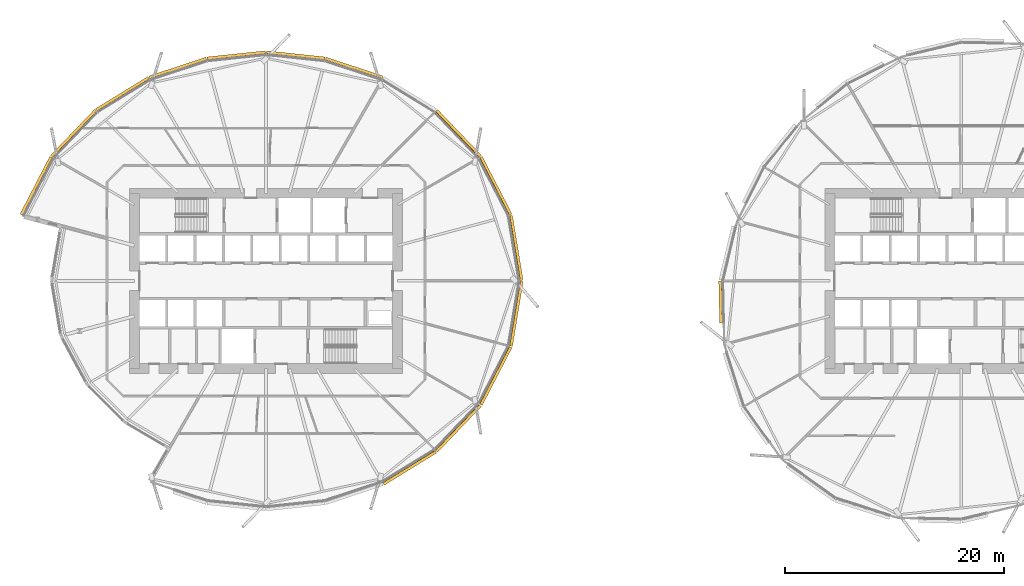
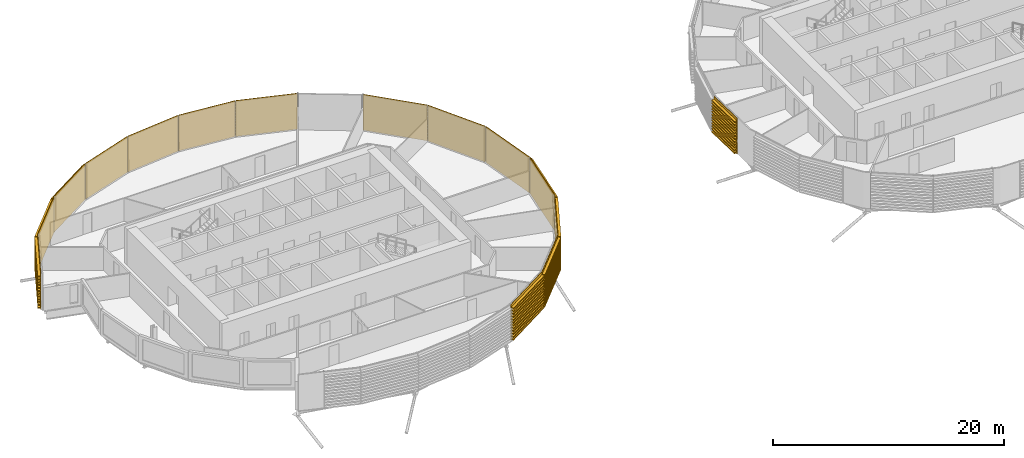
# One storey, part 34 of 37: 15 coverings.
"""IFC4 building model written with IfcOpenShell, lengths in metres."""

import ifcopenshell
import ifcopenshell.guid

model = None  # the IFC model being written
_history = None  # IfcOwnerHistory: only IFC2X3 demands one
_inside = {}  # id of a spatial element -> (the spatial element, [elements in it])
_under = {}  # id of a project, library or spatial element -> (it, [spatial elements below it])
_declared = {}  # id of a project -> (the project, [libraries it declares])
_typed = {}  # id of a type object -> (the type object, [elements of that type])
_made_of = {}  # id of a material, layer set ... -> (it, [elements and type objects made of it])


def new_model(schema):
    """Start an empty IFC model of exactly this schema.

    Asked for "IFC4X3", IfcOpenShell would pick the latest addendum, in which some entities
    have other attributes; the version numbers below select the first issue.
    IFC2X3 requires an IfcOwnerHistory on every rooted entity: one is made here for all.
    """
    global model, _history
    if schema == "IFC4X3":
        model = ifcopenshell.file(schema_version=(4, 3, 0, 0))
    else:
        model = ifcopenshell.file(schema=schema)
    _inside.clear()
    _under.clear()
    _declared.clear()
    _typed.clear()
    _made_of.clear()
    _history = None
    if model.schema == "IFC2X3":
        org = make("IfcOrganization", Name="unknown")
        user = make(
            "IfcPersonAndOrganization",
            ThePerson=make("IfcPerson", FamilyName="unknown"),
            TheOrganization=org,
        )
        app = make(
            "IfcApplication",
            ApplicationDeveloper=org,
            Version="unknown",
            ApplicationFullName="unknown",
            ApplicationIdentifier="unknown",
        )
        _history = make(
            "IfcOwnerHistory",
            OwningUser=user,
            OwningApplication=app,
            ChangeAction="ADDED",
            CreationDate=0,
        )
    return model


def make(cls, **values):
    """One entity of the class cls with the attributes given. An attribute that is None is left unset."""
    return model.create_entity(
        cls, **{name: value for name, value in values.items() if value is not None}
    )


def rooted(cls, **values):
    """An entity with a GlobalId (a new one), such as an element, a storey or a relation."""
    return make(cls, GlobalId=ifcopenshell.guid.new(), OwnerHistory=_history, **values)


def si_unit(unit_type, name, prefix=None):
    """IfcSIUnit, for example si_unit("LENGTHUNIT", "METRE", prefix="MILLI")."""
    return make("IfcSIUnit", UnitType=unit_type, Prefix=prefix, Name=name)


def assignment(units):
    """IfcUnitAssignment: the units of a project."""
    return None if units is None else make("IfcUnitAssignment", Units=units)


def point(xyz):
    """IfcCartesianPoint."""
    return None if xyz is None else make("IfcCartesianPoint", Coordinates=xyz)


def direction(xyz):
    """IfcDirection."""
    return None if xyz is None else make("IfcDirection", DirectionRatios=xyz)


def frame(location, z_axis=None, x_axis=None):
    """IfcAxis2Placement3D, a coordinate frame: its origin and axes. An axis left out is left unset."""
    return make(
        "IfcAxis2Placement3D",
        Location=point(location),
        Axis=direction(z_axis),
        RefDirection=direction(x_axis),
    )


def origin():
    """The frame at (0, 0, 0) with its axes left unset."""
    return frame((0.0, 0.0, 0.0))


def place(relative_to, where):
    """IfcLocalPlacement: puts the frame where relative to a parent placement (None: the world)."""
    return make(
        "IfcLocalPlacement", PlacementRelTo=relative_to, RelativePlacement=where
    )


def context(
    kind, dimensions, precision=None, world=None, true_north=None, identifier=None
):
    """IfcGeometricRepresentationContext, for example the 3D "Model" context."""
    return make(
        "IfcGeometricRepresentationContext",
        ContextIdentifier=identifier,
        ContextType=kind,
        CoordinateSpaceDimension=dimensions,
        Precision=precision,
        WorldCoordinateSystem=world,
        TrueNorth=true_north,
    )


def subcontext(parent, identifier, kind, view, scale=None):
    """IfcGeometricRepresentationSubContext, for example "Body" below "Model"."""
    return make(
        "IfcGeometricRepresentationSubContext",
        ContextIdentifier=identifier,
        ContextType=kind,
        ParentContext=parent,
        TargetScale=scale,
        TargetView=view,
    )


def project(units=None, contexts=None):
    """IfcProject with its units and contexts."""
    return rooted(
        "IfcProject",
        Name="project",
        RepresentationContexts=contexts,
        UnitsInContext=assignment(units),
    )


def spatial(cls, under=None, at=None, **own):
    """A site, building, storey or space (cls), placed at a placement, below another one or the project."""
    s = rooted(cls, ObjectPlacement=at, **own)
    if under is not None:
        _under.setdefault(under.id(), (under, []))[1].append(s)
    return s


def polyline(points):
    """IfcPolyline through the points."""
    return make("IfcPolyline", Points=[point(p) for p in points])


def outline(outer, holes=None, kind="AREA"):
    """IfcArbitraryClosedProfileDef: a profile drawn as a closed curve; with holes, ...WithVoids."""
    if holes is None:
        return make("IfcArbitraryClosedProfileDef", ProfileType=kind, OuterCurve=outer)
    return make(
        "IfcArbitraryProfileDefWithVoids",
        ProfileType=kind,
        OuterCurve=outer,
        InnerCurves=holes,
    )


def extrude(swept, where, along, depth):
    """IfcExtrudedAreaSolid: the profile swept, set in the frame where, extruded along a direction by depth."""
    return make(
        "IfcExtrudedAreaSolid",
        SweptArea=swept,
        Position=where,
        ExtrudedDirection=direction(along),
        Depth=depth,
    )


def shape(context_of_items, identifier, shape_type, items):
    """IfcShapeRepresentation: the items that make up one representation, for example the "Body"."""
    return make(
        "IfcShapeRepresentation",
        ContextOfItems=context_of_items,
        RepresentationIdentifier=identifier,
        RepresentationType=shape_type,
        Items=items,
    )


def material(Name=None, Category=None):
    """IfcMaterial."""
    return make("IfcMaterial", Name=Name, Category=Category)


def material_profile(
    of_material, cross_section, Name=None, Category=None, Priority=None
):
    """IfcMaterialProfile: a cross section and its material."""
    return make(
        "IfcMaterialProfile",
        Name=Name,
        Material=of_material,
        Profile=cross_section,
        Priority=Priority,
        Category=Category,
    )


def profile_set(profiles, Name=None, composite=None):
    """IfcMaterialProfileSet."""
    return make(
        "IfcMaterialProfileSet",
        Name=Name,
        MaterialProfiles=profiles,
        CompositeProfile=composite,
    )


def made_of(thing, what):
    """Note that an element or type object is made of a material, layer set ...; save() writes the relation."""
    if what is not None:
        _made_of.setdefault(what.id(), (what, []))[1].append(thing)
    return thing


def type_object(cls, material=None, **own):
    """A type object (cls), such as IfcWallType, which elements share."""
    return made_of(rooted(cls, **own), material)


def element(
    cls,
    number,
    at=None,
    inside=None,
    cuts=None,
    type_object=None,
    material=None,
    context=None,
    identifier="Body",
    shape_type=None,
    held_by="IfcProductDefinitionShape",
    body=None,
    shapes=None,
    **own,
):
    """One element of the class cls, such as IfcWall. Its Tag is "e" and its number.

    at: its placement. inside: the storey or other place that contains it. cuts: it is an
    opening in that element (IfcRelVoidsElement). A single representation is given by context,
    identifier, shape_type and body (its items); several are given by shapes. held_by: the class
    of the entity that holds the representations. save() writes the other relations.
    """
    e = rooted(cls, Tag="e%d" % number, ObjectPlacement=at, **own)
    if body is not None:
        shapes = [shape(context, identifier, shape_type, body)]
    if shapes is not None:
        e.Representation = make(held_by, Representations=shapes)
    if inside is not None:
        _inside.setdefault(inside.id(), (inside, []))[1].append(e)
    if cuts is not None:
        rooted(
            "IfcRelVoidsElement", RelatingBuildingElement=cuts, RelatedOpeningElement=e
        )
    if type_object is not None:
        _typed.setdefault(type_object.id(), (type_object, []))[1].append(e)
    return made_of(e, material)


def aggregate(whole, parts):
    """IfcRelAggregates: a whole, such as a stair, and the parts it consists of."""
    return rooted("IfcRelAggregates", RelatingObject=whole, RelatedObjects=parts)


def save(model, path):
    """Write the relations noted so far, then the file.

    IfcRelAggregates (storeys below a building ...), IfcRelContainedInSpatialStructure (elements
    in a storey), IfcRelDefinesByType, IfcRelAssociatesMaterial and IfcRelDeclares: one each for
    every whole, place, type object, material and project.
    """
    for whole, parts in _under.values():
        aggregate(whole, parts)
    for where, things in _inside.values():
        rooted(
            "IfcRelContainedInSpatialStructure",
            RelatedElements=things,
            RelatingStructure=where,
        )
    for kind, things in _typed.values():
        rooted("IfcRelDefinesByType", RelatedObjects=things, RelatingType=kind)
    for what, things in _made_of.values():
        rooted("IfcRelAssociatesMaterial", RelatedObjects=things, RelatingMaterial=what)
    for by, libraries in _declared.values():
        rooted("IfcRelDeclares", RelatingContext=by, RelatedDefinitions=libraries)
    model.write(path)


model = new_model("IFC4")

# Units and contexts
model_context = context("Model", 3, precision=1e-05, world=origin(), true_north=direction((0.0, 1.0)))
body_context = subcontext(model_context, "Body", "Model", "MODEL_VIEW")
ifc_project = project(units=[si_unit("LENGTHUNIT", "METRE"), si_unit("AREAUNIT", "SQUARE_METRE"), si_unit("VOLUMEUNIT", "CUBIC_METRE"), si_unit("PLANEANGLEUNIT", "RADIAN"), si_unit("MASSUNIT", "GRAM", prefix="KILO")], contexts=[model_context])

# Site, building, storey
site_placement = place(None, origin())
site = spatial("IfcSite", under=ifc_project, at=site_placement, CompositionType="ELEMENT")
building_placement = place(site_placement, origin())
building = spatial("IfcBuilding", under=site, at=building_placement, Name="Rimbun Link Towers", CompositionType="ELEMENT")
storey_placement = place(building_placement, frame((0.0, 0.0, 60.39990234375)))
storey = spatial("IfcBuildingStorey", under=building, at=storey_placement, Name="L14", CompositionType="ELEMENT", Elevation=60.39990234375)

# Coverings
ifc_material = material(Name="Terracotta", Category="masonry")
ifc_material_profile = material_profile(ifc_material, outline(polyline([(0.123046875, 0.0), (0.1630859375, 0.0), (0.1630859375, 0.10009765625), (0.423095703125, 0.10009765625), (0.423095703125, 0.219970703125), (0.1630859375, 0.219970703125), (0.1630859375, 0.39990234375), (0.423095703125, 0.39990234375), (0.423095703125, 0.52001953125), (0.1630859375, 0.52001953125), (0.1630859375, 0.699951171875), (0.423095703125, 0.699951171875), (0.423095703125, 0.820068359375), (0.1630859375, 0.820068359375), (0.1630859375, 1.0), (0.423095703125, 1.0), (0.423095703125, 1.1201171875), (0.1630859375, 1.1201171875), (0.1630859375, 1.300048828125), (0.423095703125, 1.300048828125), (0.423095703125, 1.419921875), (0.1630859375, 1.419921875), (0.1630859375, 1.60009765625), (0.423095703125, 1.60009765625), (0.423095703125, 1.719970703125), (0.1630859375, 1.719970703125), (0.1630859375, 1.89990234375), (0.423095703125, 1.89990234375), (0.423095703125, 2.02001953125), (0.1630859375, 2.02001953125), (0.1630859375, 2.199951171875), (0.423095703125, 2.199951171875), (0.423095703125, 2.320068359375), (0.1630859375, 2.320068359375), (0.1630859375, 2.5), (0.423095703125, 2.5), (0.423095703125, 2.6201171875), (0.1630859375, 2.6201171875), (0.1630859375, 2.800048828125), (0.423095703125, 2.800048828125), (0.423095703125, 2.919921875), (0.1630859375, 2.919921875), (0.1630859375, 3.10009765625), (0.423095703125, 3.10009765625), (0.423095703125, 3.219970703125), (0.1630859375, 3.219970703125), (0.1630859375, 3.39990234375), (0.423095703125, 3.39990234375), (0.423095703125, 3.52001953125), (0.1630859375, 3.52001953125), (0.1630859375, 3.800048828125), (0.123046875, 3.800048828125), (0.123046875, 0.0)])), Name="BAGUETTE 120X300")
ifc_profile_set = profile_set([ifc_material_profile], Name="Terracotta")
covering_type = type_object("IfcCoveringType", Name="TERRACOTTA BAGUETTE 120X300 H3800", PredefinedType="CLADDING", material=ifc_profile_set)
covering_1_placement = place(storey_placement, frame((-9.652587890625, 5.9208984375, 0.0), z_axis=(0.162260869583, -0.98674789597, 0.0), x_axis=(0.98674789597, 0.162260869583, 0.0)))
element("IfcCovering", 1, at=covering_1_placement, inside=storey, type_object=covering_type, Name="TERRACOTTA BAGUETTE", PredefinedType="CLADDING", context=body_context, shape_type="SweptSolid", body=[
    extrude(outline(polyline([(0.123046875, 0.0), (0.1630859375, 0.0), (0.1630859375, 0.10009765625), (0.423095703125, 0.10009765625), (0.423095703125, 0.219970703125), (0.1630859375, 0.219970703125), (0.1630859375, 0.39990234375), (0.423095703125, 0.39990234375), (0.423095703125, 0.52001953125), (0.1630859375, 0.52001953125), (0.1630859375, 0.699951171875), (0.423095703125, 0.699951171875), (0.423095703125, 0.820068359375), (0.1630859375, 0.820068359375), (0.1630859375, 1.0), (0.423095703125, 1.0), (0.423095703125, 1.1201171875), (0.1630859375, 1.1201171875), (0.1630859375, 1.300048828125), (0.423095703125, 1.300048828125), (0.423095703125, 1.419921875), (0.1630859375, 1.419921875), (0.1630859375, 1.60009765625), (0.423095703125, 1.60009765625), (0.423095703125, 1.719970703125), (0.1630859375, 1.719970703125), (0.1630859375, 1.89990234375), (0.423095703125, 1.89990234375), (0.423095703125, 2.02001953125), (0.1630859375, 2.02001953125), (0.1630859375, 2.199951171875), (0.423095703125, 2.199951171875), (0.423095703125, 2.320068359375), (0.1630859375, 2.320068359375), (0.1630859375, 2.5), (0.423095703125, 2.5), (0.423095703125, 2.6201171875), (0.1630859375, 2.6201171875), (0.1630859375, 2.800048828125), (0.423095703125, 2.800048828125), (0.423095703125, 2.919921875), (0.1630859375, 2.919921875), (0.1630859375, 3.10009765625), (0.423095703125, 3.10009765625), (0.423095703125, 3.219970703125), (0.1630859375, 3.219970703125), (0.1630859375, 3.39990234375), (0.423095703125, 3.39990234375), (0.423095703125, 3.52001953125), (0.1630859375, 3.52001953125), (0.1630859375, 3.800048828125), (0.123046875, 3.800048828125), (0.123046875, 0.0)])), origin(), (0.0, 0.0, 1.0), 6.00048828125),
])
covering_2_placement = place(storey_placement, frame((-12.37646484375, 11.185302734375, 0.0), z_axis=(0.459543930988, -0.888155040234, 0.0), x_axis=(0.888155040234, 0.459543930988, 0.0)))
element("IfcCovering", 2, at=covering_2_placement, inside=storey, type_object=covering_type, Name="TERRACOTTA BAGUETTE", PredefinedType="CLADDING", context=body_context, shape_type="SweptSolid", body=[
    extrude(outline(polyline([(0.123046875, 0.0), (0.1630859375, 0.0), (0.1630859375, 0.10009765625), (0.423095703125, 0.10009765625), (0.423095703125, 0.219970703125), (0.1630859375, 0.219970703125), (0.1630859375, 0.39990234375), (0.423095703125, 0.39990234375), (0.423095703125, 0.52001953125), (0.1630859375, 0.52001953125), (0.1630859375, 0.699951171875), (0.423095703125, 0.699951171875), (0.423095703125, 0.820068359375), (0.1630859375, 0.820068359375), (0.1630859375, 1.0), (0.423095703125, 1.0), (0.423095703125, 1.1201171875), (0.1630859375, 1.1201171875), (0.1630859375, 1.300048828125), (0.423095703125, 1.300048828125), (0.423095703125, 1.419921875), (0.1630859375, 1.419921875), (0.1630859375, 1.60009765625), (0.423095703125, 1.60009765625), (0.423095703125, 1.719970703125), (0.1630859375, 1.719970703125), (0.1630859375, 1.89990234375), (0.423095703125, 1.89990234375), (0.423095703125, 2.02001953125), (0.1630859375, 2.02001953125), (0.1630859375, 2.199951171875), (0.423095703125, 2.199951171875), (0.423095703125, 2.320068359375), (0.1630859375, 2.320068359375), (0.1630859375, 2.5), (0.423095703125, 2.5), (0.423095703125, 2.6201171875), (0.1630859375, 2.6201171875), (0.1630859375, 2.800048828125), (0.423095703125, 2.800048828125), (0.423095703125, 2.919921875), (0.1630859375, 2.919921875), (0.1630859375, 3.10009765625), (0.423095703125, 3.10009765625), (0.423095703125, 3.219970703125), (0.1630859375, 3.219970703125), (0.1630859375, 3.39990234375), (0.423095703125, 3.39990234375), (0.423095703125, 3.52001953125), (0.1630859375, 3.52001953125), (0.1630859375, 3.800048828125), (0.123046875, 3.800048828125), (0.123046875, 0.0)])), origin(), (0.0, 0.0, 1.0), 5.92724609375),
])
covering_3_placement = place(storey_placement, frame((-16.384521484375, 15.365478515625, 0.0), z_axis=(0.692090296903, -0.721810931569, 0.0), x_axis=(0.721810931569, 0.692090296903, 0.0)))
element("IfcCovering", 3, at=covering_3_placement, inside=storey, type_object=covering_type, Name="TERRACOTTA BAGUETTE", PredefinedType="CLADDING", context=body_context, shape_type="SweptSolid", body=[
    extrude(outline(polyline([(0.123046875, 0.0), (0.1630859375, 0.0), (0.1630859375, 0.10009765625), (0.423095703125, 0.10009765625), (0.423095703125, 0.219970703125), (0.1630859375, 0.219970703125), (0.1630859375, 0.39990234375), (0.423095703125, 0.39990234375), (0.423095703125, 0.52001953125), (0.1630859375, 0.52001953125), (0.1630859375, 0.699951171875), (0.423095703125, 0.699951171875), (0.423095703125, 0.820068359375), (0.1630859375, 0.820068359375), (0.1630859375, 1.0), (0.423095703125, 1.0), (0.423095703125, 1.1201171875), (0.1630859375, 1.1201171875), (0.1630859375, 1.300048828125), (0.423095703125, 1.300048828125), (0.423095703125, 1.419921875), (0.1630859375, 1.419921875), (0.1630859375, 1.60009765625), (0.423095703125, 1.60009765625), (0.423095703125, 1.719970703125), (0.1630859375, 1.719970703125), (0.1630859375, 1.89990234375), (0.423095703125, 1.89990234375), (0.423095703125, 2.02001953125), (0.1630859375, 2.02001953125), (0.1630859375, 2.199951171875), (0.423095703125, 2.199951171875), (0.423095703125, 2.320068359375), (0.1630859375, 2.320068359375), (0.1630859375, 2.5), (0.423095703125, 2.5), (0.423095703125, 2.6201171875), (0.1630859375, 2.6201171875), (0.1630859375, 2.800048828125), (0.423095703125, 2.800048828125), (0.423095703125, 2.919921875), (0.1630859375, 2.919921875), (0.1630859375, 3.10009765625), (0.423095703125, 3.10009765625), (0.423095703125, 3.219970703125), (0.1630859375, 3.219970703125), (0.1630859375, 3.39990234375), (0.423095703125, 3.39990234375), (0.423095703125, 3.52001953125), (0.1630859375, 3.52001953125), (0.1630859375, 3.800048828125), (0.123046875, 3.800048828125), (0.123046875, 0.0)])), origin(), (0.0, 0.0, 1.0), 5.791259765625),
])
covering_4_placement = place(storey_placement, frame((-26.382080078125, 20.03369140625, 0.0), z_axis=(0.949243011952, -0.314543644445, 0.0), x_axis=(0.314543644445, 0.949243011952, 0.0)))
element("IfcCovering", 4, at=covering_4_placement, inside=storey, type_object=covering_type, Name="TERRACOTTA BAGUETTE", PredefinedType="CLADDING", context=body_context, shape_type="SweptSolid", body=[
    extrude(outline(polyline([(0.123046875, 0.0), (0.1630859375, 0.0), (0.1630859375, 0.10009765625), (0.423095703125, 0.10009765625), (0.423095703125, 0.219970703125), (0.1630859375, 0.219970703125), (0.1630859375, 0.39990234375), (0.423095703125, 0.39990234375), (0.423095703125, 0.52001953125), (0.1630859375, 0.52001953125), (0.1630859375, 0.699951171875), (0.423095703125, 0.699951171875), (0.423095703125, 0.820068359375), (0.1630859375, 0.820068359375), (0.1630859375, 1.0), (0.423095703125, 1.0), (0.423095703125, 1.1201171875), (0.1630859375, 1.1201171875), (0.1630859375, 1.300048828125), (0.423095703125, 1.300048828125), (0.423095703125, 1.419921875), (0.1630859375, 1.419921875), (0.1630859375, 1.60009765625), (0.423095703125, 1.60009765625), (0.423095703125, 1.719970703125), (0.1630859375, 1.719970703125), (0.1630859375, 1.89990234375), (0.423095703125, 1.89990234375), (0.423095703125, 2.02001953125), (0.1630859375, 2.02001953125), (0.1630859375, 2.199951171875), (0.423095703125, 2.199951171875), (0.423095703125, 2.320068359375), (0.1630859375, 2.320068359375), (0.1630859375, 2.5), (0.423095703125, 2.5), (0.423095703125, 2.6201171875), (0.1630859375, 2.6201171875), (0.1630859375, 2.800048828125), (0.423095703125, 2.800048828125), (0.423095703125, 2.919921875), (0.1630859375, 2.919921875), (0.1630859375, 3.10009765625), (0.423095703125, 3.10009765625), (0.423095703125, 3.219970703125), (0.1630859375, 3.219970703125), (0.1630859375, 3.39990234375), (0.423095703125, 3.39990234375), (0.423095703125, 3.52001953125), (0.1630859375, 3.52001953125), (0.1630859375, 3.800048828125), (0.123046875, 3.800048828125), (0.123046875, 0.0)])), origin(), (0.0, 0.0, 1.0), 5.4814453125),
])
for number, where, z_axis, x_axis, name in (
    (5, (-31.75, 20.59912109375, 0.0), (0.99449801515, -0.104755419252, 0.0), (0.104755419252, 0.99449801515, 0.0), "TERRACOTTA BAGUETTE"),
    (6, (-37.117919921875, 20.03369140625, 0.0), (0.99449801515, 0.104755419252, 0.0), (-0.104755419252, 0.99449801515, 0.0), "TERRACOTTA BAGUETTE"),
):
    element("IfcCovering", number, at=place(storey_placement, frame(where, z_axis=z_axis, x_axis=x_axis)), inside=storey, type_object=covering_type, Name=name, PredefinedType="CLADDING", context=body_context, shape_type="SweptSolid", body=[
        extrude(outline(polyline([(0.123046875, 0.0), (0.1630859375, 0.0), (0.1630859375, 0.10009765625), (0.423095703125, 0.10009765625), (0.423095703125, 0.219970703125), (0.1630859375, 0.219970703125), (0.1630859375, 0.39990234375), (0.423095703125, 0.39990234375), (0.423095703125, 0.52001953125), (0.1630859375, 0.52001953125), (0.1630859375, 0.699951171875), (0.423095703125, 0.699951171875), (0.423095703125, 0.820068359375), (0.1630859375, 0.820068359375), (0.1630859375, 1.0), (0.423095703125, 1.0), (0.423095703125, 1.1201171875), (0.1630859375, 1.1201171875), (0.1630859375, 1.300048828125), (0.423095703125, 1.300048828125), (0.423095703125, 1.419921875), (0.1630859375, 1.419921875), (0.1630859375, 1.60009765625), (0.423095703125, 1.60009765625), (0.423095703125, 1.719970703125), (0.1630859375, 1.719970703125), (0.1630859375, 1.89990234375), (0.423095703125, 1.89990234375), (0.423095703125, 2.02001953125), (0.1630859375, 2.02001953125), (0.1630859375, 2.199951171875), (0.423095703125, 2.199951171875), (0.423095703125, 2.320068359375), (0.1630859375, 2.320068359375), (0.1630859375, 2.5), (0.423095703125, 2.5), (0.423095703125, 2.6201171875), (0.1630859375, 2.6201171875), (0.1630859375, 2.800048828125), (0.423095703125, 2.800048828125), (0.423095703125, 2.919921875), (0.1630859375, 2.919921875), (0.1630859375, 3.10009765625), (0.423095703125, 3.10009765625), (0.423095703125, 3.219970703125), (0.1630859375, 3.219970703125), (0.1630859375, 3.39990234375), (0.423095703125, 3.39990234375), (0.423095703125, 3.52001953125), (0.1630859375, 3.52001953125), (0.1630859375, 3.800048828125), (0.123046875, 3.800048828125), (0.123046875, 0.0)])), origin(), (0.0, 0.0, 1.0), 5.397705078125),
    ])
covering_5_placement = place(storey_placement, frame((-42.321044921875, 18.3095703125, 0.0), z_axis=(0.949243011952, 0.314543644445, 0.0), x_axis=(-0.314543644445, 0.949243011952, 0.0)))
element("IfcCovering", 7, at=covering_5_placement, inside=storey, type_object=covering_type, Name="TERRACOTTA BAGUETTE", PredefinedType="CLADDING", context=body_context, shape_type="SweptSolid", body=[
    extrude(outline(polyline([(0.123046875, 0.0), (0.1630859375, 0.0), (0.1630859375, 0.10009765625), (0.423095703125, 0.10009765625), (0.423095703125, 0.219970703125), (0.1630859375, 0.219970703125), (0.1630859375, 0.39990234375), (0.423095703125, 0.39990234375), (0.423095703125, 0.52001953125), (0.1630859375, 0.52001953125), (0.1630859375, 0.699951171875), (0.423095703125, 0.699951171875), (0.423095703125, 0.820068359375), (0.1630859375, 0.820068359375), (0.1630859375, 1.0), (0.423095703125, 1.0), (0.423095703125, 1.1201171875), (0.1630859375, 1.1201171875), (0.1630859375, 1.300048828125), (0.423095703125, 1.300048828125), (0.423095703125, 1.419921875), (0.1630859375, 1.419921875), (0.1630859375, 1.60009765625), (0.423095703125, 1.60009765625), (0.423095703125, 1.719970703125), (0.1630859375, 1.719970703125), (0.1630859375, 1.89990234375), (0.423095703125, 1.89990234375), (0.423095703125, 2.02001953125), (0.1630859375, 2.02001953125), (0.1630859375, 2.199951171875), (0.423095703125, 2.199951171875), (0.423095703125, 2.320068359375), (0.1630859375, 2.320068359375), (0.1630859375, 2.5), (0.423095703125, 2.5), (0.423095703125, 2.6201171875), (0.1630859375, 2.6201171875), (0.1630859375, 2.800048828125), (0.423095703125, 2.800048828125), (0.423095703125, 2.919921875), (0.1630859375, 2.919921875), (0.1630859375, 3.10009765625), (0.423095703125, 3.10009765625), (0.423095703125, 3.219970703125), (0.1630859375, 3.219970703125), (0.1630859375, 3.39990234375), (0.423095703125, 3.39990234375), (0.423095703125, 3.52001953125), (0.1630859375, 3.52001953125), (0.1630859375, 3.800048828125), (0.123046875, 3.800048828125), (0.123046875, 0.0)])), origin(), (0.0, 0.0, 1.0), 5.4814453125),
])
covering_6_placement = place(storey_placement, frame((-47.115478515625, 15.365478515625, 0.0), z_axis=(0.852160023154, 0.523281277076, 0.0), x_axis=(-0.523281277076, 0.852160023154, 0.0)))
element("IfcCovering", 8, at=covering_6_placement, inside=storey, type_object=covering_type, Name="TERRACOTTA BAGUETTE", PredefinedType="CLADDING", context=body_context, shape_type="SweptSolid", body=[
    extrude(outline(polyline([(0.123046875, 0.0), (0.1630859375, 0.0), (0.1630859375, 0.10009765625), (0.423095703125, 0.10009765625), (0.423095703125, 0.219970703125), (0.1630859375, 0.219970703125), (0.1630859375, 0.39990234375), (0.423095703125, 0.39990234375), (0.423095703125, 0.52001953125), (0.1630859375, 0.52001953125), (0.1630859375, 0.699951171875), (0.423095703125, 0.699951171875), (0.423095703125, 0.820068359375), (0.1630859375, 0.820068359375), (0.1630859375, 1.0), (0.423095703125, 1.0), (0.423095703125, 1.1201171875), (0.1630859375, 1.1201171875), (0.1630859375, 1.300048828125), (0.423095703125, 1.300048828125), (0.423095703125, 1.419921875), (0.1630859375, 1.419921875), (0.1630859375, 1.60009765625), (0.423095703125, 1.60009765625), (0.423095703125, 1.719970703125), (0.1630859375, 1.719970703125), (0.1630859375, 1.89990234375), (0.423095703125, 1.89990234375), (0.423095703125, 2.02001953125), (0.1630859375, 2.02001953125), (0.1630859375, 2.199951171875), (0.423095703125, 2.199951171875), (0.423095703125, 2.320068359375), (0.1630859375, 2.320068359375), (0.1630859375, 2.5), (0.423095703125, 2.5), (0.423095703125, 2.6201171875), (0.1630859375, 2.6201171875), (0.1630859375, 2.800048828125), (0.423095703125, 2.800048828125), (0.423095703125, 2.919921875), (0.1630859375, 2.919921875), (0.1630859375, 3.10009765625), (0.423095703125, 3.10009765625), (0.423095703125, 3.219970703125), (0.1630859375, 3.219970703125), (0.1630859375, 3.39990234375), (0.423095703125, 3.39990234375), (0.423095703125, 3.52001953125), (0.1630859375, 3.52001953125), (0.1630859375, 3.800048828125), (0.123046875, 3.800048828125), (0.123046875, 0.0)])), origin(), (0.0, 0.0, 1.0), 5.626220703125),
])
covering_7_placement = place(storey_placement, frame((-51.12353515625, 11.185302734375, 0.0), z_axis=(0.692090296903, 0.721810931569, 0.0), x_axis=(-0.721810931569, 0.692090296903, 0.0)))
element("IfcCovering", 9, at=covering_7_placement, inside=storey, type_object=covering_type, Name="TERRACOTTA BAGUETTE", PredefinedType="CLADDING", context=body_context, shape_type="SweptSolid", body=[
    extrude(outline(polyline([(0.123046875, 0.0), (0.1630859375, 0.0), (0.1630859375, 0.10009765625), (0.423095703125, 0.10009765625), (0.423095703125, 0.219970703125), (0.1630859375, 0.219970703125), (0.1630859375, 0.39990234375), (0.423095703125, 0.39990234375), (0.423095703125, 0.52001953125), (0.1630859375, 0.52001953125), (0.1630859375, 0.699951171875), (0.423095703125, 0.699951171875), (0.423095703125, 0.820068359375), (0.1630859375, 0.820068359375), (0.1630859375, 1.0), (0.423095703125, 1.0), (0.423095703125, 1.1201171875), (0.1630859375, 1.1201171875), (0.1630859375, 1.300048828125), (0.423095703125, 1.300048828125), (0.423095703125, 1.419921875), (0.1630859375, 1.419921875), (0.1630859375, 1.60009765625), (0.423095703125, 1.60009765625), (0.423095703125, 1.719970703125), (0.1630859375, 1.719970703125), (0.1630859375, 1.89990234375), (0.423095703125, 1.89990234375), (0.423095703125, 2.02001953125), (0.1630859375, 2.02001953125), (0.1630859375, 2.199951171875), (0.423095703125, 2.199951171875), (0.423095703125, 2.320068359375), (0.1630859375, 2.320068359375), (0.1630859375, 2.5), (0.423095703125, 2.5), (0.423095703125, 2.6201171875), (0.1630859375, 2.6201171875), (0.1630859375, 2.800048828125), (0.423095703125, 2.800048828125), (0.423095703125, 2.919921875), (0.1630859375, 2.919921875), (0.1630859375, 3.10009765625), (0.423095703125, 3.10009765625), (0.423095703125, 3.219970703125), (0.1630859375, 3.219970703125), (0.1630859375, 3.39990234375), (0.423095703125, 3.39990234375), (0.423095703125, 3.52001953125), (0.1630859375, 3.52001953125), (0.1630859375, 3.800048828125), (0.123046875, 3.800048828125), (0.123046875, 0.0)])), origin(), (0.0, 0.0, 1.0), 5.791259765625),
])
covering_8_placement = place(storey_placement, frame((-53.847412109375, 5.9208984375, 0.0), z_axis=(0.459543930988, 0.888155040234, 0.0), x_axis=(-0.888155040234, 0.459543930988, 0.0)))
element("IfcCovering", 10, at=covering_8_placement, inside=storey, type_object=covering_type, Name="TERRACOTTA BAGUETTE", PredefinedType="CLADDING", context=body_context, shape_type="SweptSolid", body=[
    extrude(outline(polyline([(0.123046875, 0.0), (0.1630859375, 0.0), (0.1630859375, 0.10009765625), (0.423095703125, 0.10009765625), (0.423095703125, 0.219970703125), (0.1630859375, 0.219970703125), (0.1630859375, 0.39990234375), (0.423095703125, 0.39990234375), (0.423095703125, 0.52001953125), (0.1630859375, 0.52001953125), (0.1630859375, 0.699951171875), (0.423095703125, 0.699951171875), (0.423095703125, 0.820068359375), (0.1630859375, 0.820068359375), (0.1630859375, 1.0), (0.423095703125, 1.0), (0.423095703125, 1.1201171875), (0.1630859375, 1.1201171875), (0.1630859375, 1.300048828125), (0.423095703125, 1.300048828125), (0.423095703125, 1.419921875), (0.1630859375, 1.419921875), (0.1630859375, 1.60009765625), (0.423095703125, 1.60009765625), (0.423095703125, 1.719970703125), (0.1630859375, 1.719970703125), (0.1630859375, 1.89990234375), (0.423095703125, 1.89990234375), (0.423095703125, 2.02001953125), (0.1630859375, 2.02001953125), (0.1630859375, 2.199951171875), (0.423095703125, 2.199951171875), (0.423095703125, 2.320068359375), (0.1630859375, 2.320068359375), (0.1630859375, 2.5), (0.423095703125, 2.5), (0.423095703125, 2.6201171875), (0.1630859375, 2.6201171875), (0.1630859375, 2.800048828125), (0.423095703125, 2.800048828125), (0.423095703125, 2.919921875), (0.1630859375, 2.919921875), (0.1630859375, 3.10009765625), (0.423095703125, 3.10009765625), (0.423095703125, 3.219970703125), (0.1630859375, 3.219970703125), (0.1630859375, 3.39990234375), (0.423095703125, 3.39990234375), (0.423095703125, 3.52001953125), (0.1630859375, 3.52001953125), (0.1630859375, 3.800048828125), (0.123046875, 3.800048828125), (0.123046875, 0.0)])), origin(), (0.0, 0.0, 1.0), 5.92724609375),
])
covering_9_placement = place(storey_placement, frame((-16.384521484375, -15.365478515625, 0.0), z_axis=(-0.852160023154, -0.523281277076, 0.0), x_axis=(0.523281277076, -0.852160023154, 0.0)))
element("IfcCovering", 11, at=covering_9_placement, inside=storey, type_object=covering_type, Name="TERRACOTTA BAGUETTE", PredefinedType="CLADDING", context=body_context, shape_type="SweptSolid", body=[
    extrude(outline(polyline([(0.123046875, 0.0), (0.1630859375, 0.0), (0.1630859375, 0.10009765625), (0.423095703125, 0.10009765625), (0.423095703125, 0.219970703125), (0.1630859375, 0.219970703125), (0.1630859375, 0.39990234375), (0.423095703125, 0.39990234375), (0.423095703125, 0.52001953125), (0.1630859375, 0.52001953125), (0.1630859375, 0.699951171875), (0.423095703125, 0.699951171875), (0.423095703125, 0.820068359375), (0.1630859375, 0.820068359375), (0.1630859375, 1.0), (0.423095703125, 1.0), (0.423095703125, 1.1201171875), (0.1630859375, 1.1201171875), (0.1630859375, 1.300048828125), (0.423095703125, 1.300048828125), (0.423095703125, 1.419921875), (0.1630859375, 1.419921875), (0.1630859375, 1.60009765625), (0.423095703125, 1.60009765625), (0.423095703125, 1.719970703125), (0.1630859375, 1.719970703125), (0.1630859375, 1.89990234375), (0.423095703125, 1.89990234375), (0.423095703125, 2.02001953125), (0.1630859375, 2.02001953125), (0.1630859375, 2.199951171875), (0.423095703125, 2.199951171875), (0.423095703125, 2.320068359375), (0.1630859375, 2.320068359375), (0.1630859375, 2.5), (0.423095703125, 2.5), (0.423095703125, 2.6201171875), (0.1630859375, 2.6201171875), (0.1630859375, 2.800048828125), (0.423095703125, 2.800048828125), (0.423095703125, 2.919921875), (0.1630859375, 2.919921875), (0.1630859375, 3.10009765625), (0.423095703125, 3.10009765625), (0.423095703125, 3.219970703125), (0.1630859375, 3.219970703125), (0.1630859375, 3.39990234375), (0.423095703125, 3.39990234375), (0.423095703125, 3.52001953125), (0.1630859375, 3.52001953125), (0.1630859375, 3.800048828125), (0.123046875, 3.800048828125), (0.123046875, 0.0)])), origin(), (0.0, 0.0, 1.0), 5.626220703125),
])
covering_10_placement = place(storey_placement, frame((-12.37646484375, -11.185302734375, 0.0), z_axis=(-0.692090296903, -0.721810931569, 0.0), x_axis=(0.721810931569, -0.692090296903, 0.0)))
element("IfcCovering", 12, at=covering_10_placement, inside=storey, type_object=covering_type, Name="TERRACOTTA BAGUETTE", PredefinedType="CLADDING", context=body_context, shape_type="SweptSolid", body=[
    extrude(outline(polyline([(0.123046875, 0.0), (0.1630859375, 0.0), (0.1630859375, 0.10009765625), (0.423095703125, 0.10009765625), (0.423095703125, 0.219970703125), (0.1630859375, 0.219970703125), (0.1630859375, 0.39990234375), (0.423095703125, 0.39990234375), (0.423095703125, 0.52001953125), (0.1630859375, 0.52001953125), (0.1630859375, 0.699951171875), (0.423095703125, 0.699951171875), (0.423095703125, 0.820068359375), (0.1630859375, 0.820068359375), (0.1630859375, 1.0), (0.423095703125, 1.0), (0.423095703125, 1.1201171875), (0.1630859375, 1.1201171875), (0.1630859375, 1.300048828125), (0.423095703125, 1.300048828125), (0.423095703125, 1.419921875), (0.1630859375, 1.419921875), (0.1630859375, 1.60009765625), (0.423095703125, 1.60009765625), (0.423095703125, 1.719970703125), (0.1630859375, 1.719970703125), (0.1630859375, 1.89990234375), (0.423095703125, 1.89990234375), (0.423095703125, 2.02001953125), (0.1630859375, 2.02001953125), (0.1630859375, 2.199951171875), (0.423095703125, 2.199951171875), (0.423095703125, 2.320068359375), (0.1630859375, 2.320068359375), (0.1630859375, 2.5), (0.423095703125, 2.5), (0.423095703125, 2.6201171875), (0.1630859375, 2.6201171875), (0.1630859375, 2.800048828125), (0.423095703125, 2.800048828125), (0.423095703125, 2.919921875), (0.1630859375, 2.919921875), (0.1630859375, 3.10009765625), (0.423095703125, 3.10009765625), (0.423095703125, 3.219970703125), (0.1630859375, 3.219970703125), (0.1630859375, 3.39990234375), (0.423095703125, 3.39990234375), (0.423095703125, 3.52001953125), (0.1630859375, 3.52001953125), (0.1630859375, 3.800048828125), (0.123046875, 3.800048828125), (0.123046875, 0.0)])), origin(), (0.0, 0.0, 1.0), 5.791259765625),
])
covering_11_placement = place(storey_placement, frame((-9.652587890625, -5.9208984375, 0.0), z_axis=(-0.459543930988, -0.888155040234, 0.0), x_axis=(0.888155040234, -0.459543930988, 0.0)))
element("IfcCovering", 13, at=covering_11_placement, inside=storey, type_object=covering_type, Name="TERRACOTTA BAGUETTE", PredefinedType="CLADDING", context=body_context, shape_type="SweptSolid", body=[
    extrude(outline(polyline([(0.123046875, 0.0), (0.1630859375, 0.0), (0.1630859375, 0.10009765625), (0.423095703125, 0.10009765625), (0.423095703125, 0.219970703125), (0.1630859375, 0.219970703125), (0.1630859375, 0.39990234375), (0.423095703125, 0.39990234375), (0.423095703125, 0.52001953125), (0.1630859375, 0.52001953125), (0.1630859375, 0.699951171875), (0.423095703125, 0.699951171875), (0.423095703125, 0.820068359375), (0.1630859375, 0.820068359375), (0.1630859375, 1.0), (0.423095703125, 1.0), (0.423095703125, 1.1201171875), (0.1630859375, 1.1201171875), (0.1630859375, 1.300048828125), (0.423095703125, 1.300048828125), (0.423095703125, 1.419921875), (0.1630859375, 1.419921875), (0.1630859375, 1.60009765625), (0.423095703125, 1.60009765625), (0.423095703125, 1.719970703125), (0.1630859375, 1.719970703125), (0.1630859375, 1.89990234375), (0.423095703125, 1.89990234375), (0.423095703125, 2.02001953125), (0.1630859375, 2.02001953125), (0.1630859375, 2.199951171875), (0.423095703125, 2.199951171875), (0.423095703125, 2.320068359375), (0.1630859375, 2.320068359375), (0.1630859375, 2.5), (0.423095703125, 2.5), (0.423095703125, 2.6201171875), (0.1630859375, 2.6201171875), (0.1630859375, 2.800048828125), (0.423095703125, 2.800048828125), (0.423095703125, 2.919921875), (0.1630859375, 2.919921875), (0.1630859375, 3.10009765625), (0.423095703125, 3.10009765625), (0.423095703125, 3.219970703125), (0.1630859375, 3.219970703125), (0.1630859375, 3.39990234375), (0.423095703125, 3.39990234375), (0.423095703125, 3.52001953125), (0.1630859375, 3.52001953125), (0.1630859375, 3.800048828125), (0.123046875, 3.800048828125), (0.123046875, 0.0)])), origin(), (0.0, 0.0, 1.0), 5.92724609375),
])
covering_12_placement = place(storey_placement, frame((-8.678955078125, 0.0, 0.0), z_axis=(-0.162260869583, -0.98674789597, 0.0), x_axis=(0.98674789597, -0.162260869583, 0.0)))
element("IfcCovering", 14, at=covering_12_placement, inside=storey, type_object=covering_type, Name="TERRACOTTA BAGUETTE", PredefinedType="CLADDING", context=body_context, shape_type="SweptSolid", body=[
    extrude(outline(polyline([(0.123046875, 0.0), (0.1630859375, 0.0), (0.1630859375, 0.10009765625), (0.423095703125, 0.10009765625), (0.423095703125, 0.219970703125), (0.1630859375, 0.219970703125), (0.1630859375, 0.39990234375), (0.423095703125, 0.39990234375), (0.423095703125, 0.52001953125), (0.1630859375, 0.52001953125), (0.1630859375, 0.699951171875), (0.423095703125, 0.699951171875), (0.423095703125, 0.820068359375), (0.1630859375, 0.820068359375), (0.1630859375, 1.0), (0.423095703125, 1.0), (0.423095703125, 1.1201171875), (0.1630859375, 1.1201171875), (0.1630859375, 1.300048828125), (0.423095703125, 1.300048828125), (0.423095703125, 1.419921875), (0.1630859375, 1.419921875), (0.1630859375, 1.60009765625), (0.423095703125, 1.60009765625), (0.423095703125, 1.719970703125), (0.1630859375, 1.719970703125), (0.1630859375, 1.89990234375), (0.423095703125, 1.89990234375), (0.423095703125, 2.02001953125), (0.1630859375, 2.02001953125), (0.1630859375, 2.199951171875), (0.423095703125, 2.199951171875), (0.423095703125, 2.320068359375), (0.1630859375, 2.320068359375), (0.1630859375, 2.5), (0.423095703125, 2.5), (0.423095703125, 2.6201171875), (0.1630859375, 2.6201171875), (0.1630859375, 2.800048828125), (0.423095703125, 2.800048828125), (0.423095703125, 2.919921875), (0.1630859375, 2.919921875), (0.1630859375, 3.10009765625), (0.423095703125, 3.10009765625), (0.423095703125, 3.219970703125), (0.1630859375, 3.219970703125), (0.1630859375, 3.39990234375), (0.423095703125, 3.39990234375), (0.423095703125, 3.52001953125), (0.1630859375, 3.52001953125), (0.1630859375, 3.800048828125), (0.123046875, 3.800048828125), (0.123046875, 0.0)])), origin(), (0.0, 0.0, 1.0), 6.00048828125),
])
covering_13_placement = place(storey_placement, frame((10.1005859375, -3.84033203125, 0.0), z_axis=(-0.021037936583, 0.99977867812, 0.0), x_axis=(-0.99977867812, -0.021037936583, 0.0)))
element("IfcCovering", 15, at=covering_13_placement, inside=storey, type_object=covering_type, Name="TERRACOTTA BAGUETTE", PredefinedType="CLADDING", context=body_context, shape_type="SweptSolid", body=[
    extrude(outline(polyline([(0.123046875, 0.0), (0.1630859375, 0.0), (0.1630859375, 0.10009765625), (0.423095703125, 0.10009765625), (0.423095703125, 0.219970703125), (0.1630859375, 0.219970703125), (0.1630859375, 0.39990234375), (0.423095703125, 0.39990234375), (0.423095703125, 0.52001953125), (0.1630859375, 0.52001953125), (0.1630859375, 0.699951171875), (0.423095703125, 0.699951171875), (0.423095703125, 0.820068359375), (0.1630859375, 0.820068359375), (0.1630859375, 1.0), (0.423095703125, 1.0), (0.423095703125, 1.1201171875), (0.1630859375, 1.1201171875), (0.1630859375, 1.300048828125), (0.423095703125, 1.300048828125), (0.423095703125, 1.419921875), (0.1630859375, 1.419921875), (0.1630859375, 1.60009765625), (0.423095703125, 1.60009765625), (0.423095703125, 1.719970703125), (0.1630859375, 1.719970703125), (0.1630859375, 1.89990234375), (0.423095703125, 1.89990234375), (0.423095703125, 2.02001953125), (0.1630859375, 2.02001953125), (0.1630859375, 2.199951171875), (0.423095703125, 2.199951171875), (0.423095703125, 2.320068359375), (0.1630859375, 2.320068359375), (0.1630859375, 2.5), (0.423095703125, 2.5), (0.423095703125, 2.6201171875), (0.1630859375, 2.6201171875), (0.1630859375, 2.800048828125), (0.423095703125, 2.800048828125), (0.423095703125, 2.919921875), (0.1630859375, 2.919921875), (0.1630859375, 3.10009765625), (0.423095703125, 3.10009765625), (0.423095703125, 3.219970703125), (0.1630859375, 3.219970703125), (0.1630859375, 3.39990234375), (0.423095703125, 3.39990234375), (0.423095703125, 3.52001953125), (0.1630859375, 3.52001953125), (0.1630859375, 3.800048828125), (0.123046875, 3.800048828125), (0.123046875, 0.0)])), origin(), (0.0, 0.0, 1.0), 3.841064453125),
])

save(model, "model.ifc")
